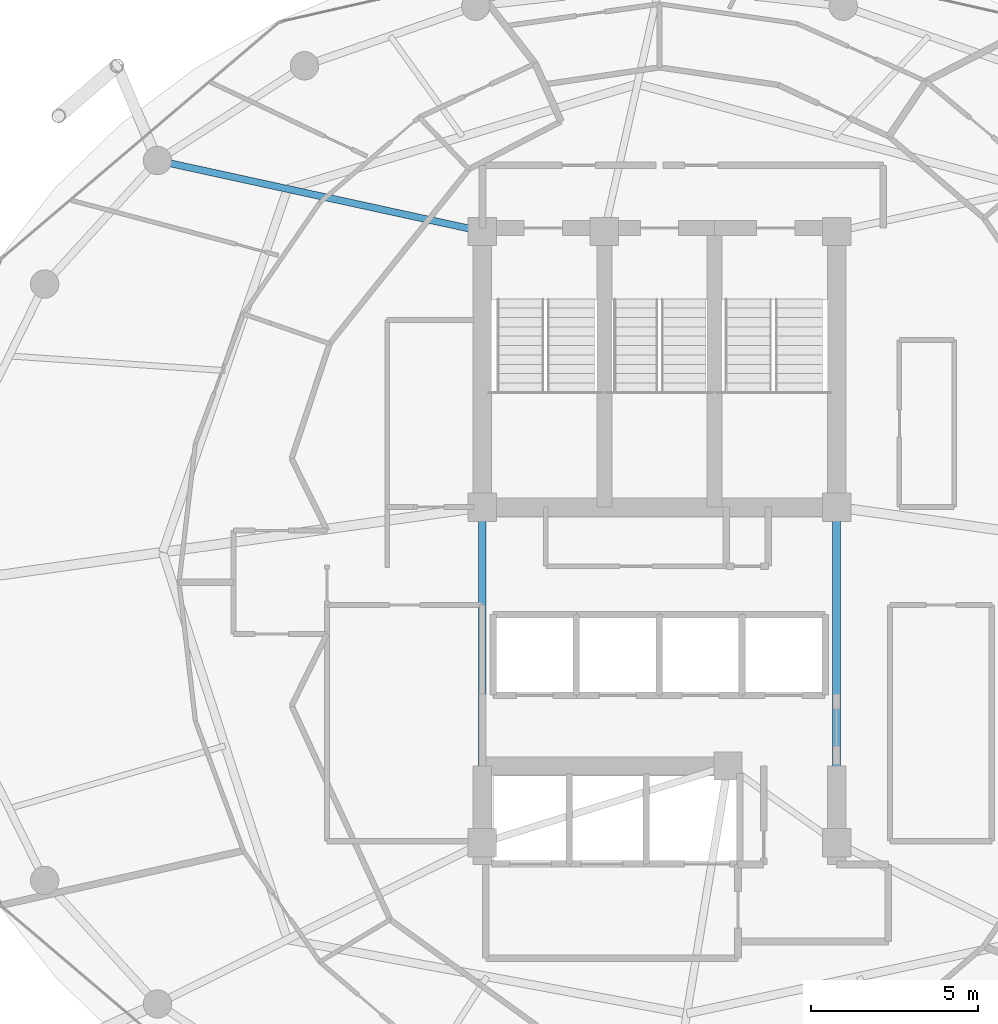
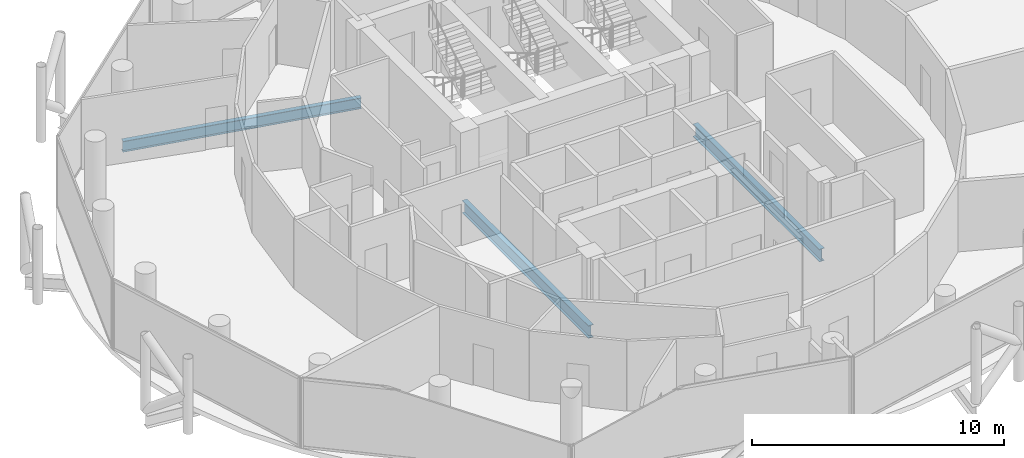
# One storey, part 10 of 27: 3 beams.
"""IFC4 building model written with IfcOpenShell, lengths in metres."""

from ifc_helpers import new_model, si_unit, direction, frame, origin, origin_2d, place, context, subcontext, project, spatial, i_section, extrude, material, material_profile, profile_set, type_object, element, save


model = new_model("IFC4")

# Units and contexts
model_context = context("Model", 3, precision=1e-05, world=origin(), true_north=direction((0.0, 1.0)))
body_context = subcontext(model_context, "Body", "Model", "MODEL_VIEW")
ifc_project = project(units=[si_unit("LENGTHUNIT", "METRE"), si_unit("AREAUNIT", "SQUARE_METRE"), si_unit("VOLUMEUNIT", "CUBIC_METRE"), si_unit("PLANEANGLEUNIT", "RADIAN"), si_unit("MASSUNIT", "GRAM", prefix="KILO")], contexts=[model_context])

# Site, building, storey
site_placement = place(None, origin())
site = spatial("IfcSite", under=ifc_project, at=site_placement, CompositionType="ELEMENT")
building_placement = place(site_placement, origin())
building = spatial("IfcBuilding", under=site, at=building_placement, Name="Nuhasar Tower", CompositionType="ELEMENT")
storey_placement = place(building_placement, frame((0.0, 0.0, 251.949951171875)))
storey = spatial("IfcBuildingStorey", under=building, at=storey_placement, Name="L62", CompositionType="ELEMENT", Elevation=251.949951171875)

# Beams
ifc_material = material(Name="Steel S355", Category="steel")
ifc_material_profile_1 = material_profile(ifc_material, i_section(OverallWidth=0.208984375, OverallDepth=0.528076171875, WebThickness=0.009521484375, FlangeThickness=0.01318359375, at=origin_2d()), Name="W21X55")
ifc_profile_set_1 = profile_set([ifc_material_profile_1], Name="Steel S355")
beam_type_1 = type_object("IfcBeamType", Name="BM-RAD-W21X55", PredefinedType="BEAM", material=ifc_profile_set_1)
beam_placement = place(storey_placement, frame((33.699951171875, 37.300048828125, -0.50390625), z_axis=(-0.977014275474, 0.213173885644, 0.0), x_axis=(-0.213173885644, -0.977014275474, 0.0)))
element("IfcBeam", 1, at=beam_placement, inside=storey, type_object=beam_type_1, Name="L62 Radial Floor Girder 07", PredefinedType="BEAM", context=body_context, shape_type="SweptSolid", body=[
    extrude(i_section(OverallWidth=0.208984375, OverallDepth=0.528076171875, WebThickness=0.009521484375, FlangeThickness=0.01318359375, at=origin_2d()), origin(), (0.0, 0.0, 1.0), 9.95458984375),
])
ifc_material_profile_2 = material_profile(ifc_material, i_section(OverallWidth=0.22900390625, OverallDepth=0.612060546875, WebThickness=0.011962890625, FlangeThickness=0.01953125, at=origin_2d()), Name="W24X84")
ifc_profile_set_2 = profile_set([ifc_material_profile_2], Name="Steel S355")
beam_type_2 = type_object("IfcBeamType", Name="BM-RAD-W24X84", PredefinedType="BEAM", material=ifc_profile_set_2)
for number, where, z_axis, x_axis, name in (
    (2, (44.300048828125, 19.0, -0.5458984375), (0.0, 1.0, 0.0), (-1.0, 0.0, 0.0), "L62 Core Ring Girder 3"),
    (3, (33.699951171875, 29.050048828125, -0.5458984375), (0.0, -1.0, 0.0), (1.0, 0.0, 0.0), "L62 Core Ring Girder 8"),
):
    element("IfcBeam", number, at=place(storey_placement, frame(where, z_axis=z_axis, x_axis=x_axis)), inside=storey, type_object=beam_type_2, Name=name, PredefinedType="BEAM", context=body_context, shape_type="SweptSolid", body=[
        extrude(i_section(OverallWidth=0.22900390625, OverallDepth=0.612060546875, WebThickness=0.011962890625, FlangeThickness=0.01953125, at=origin_2d()), origin(), (0.0, 0.0, 1.0), 10.050048828125),
    ])

save(model, "model.ifc")
